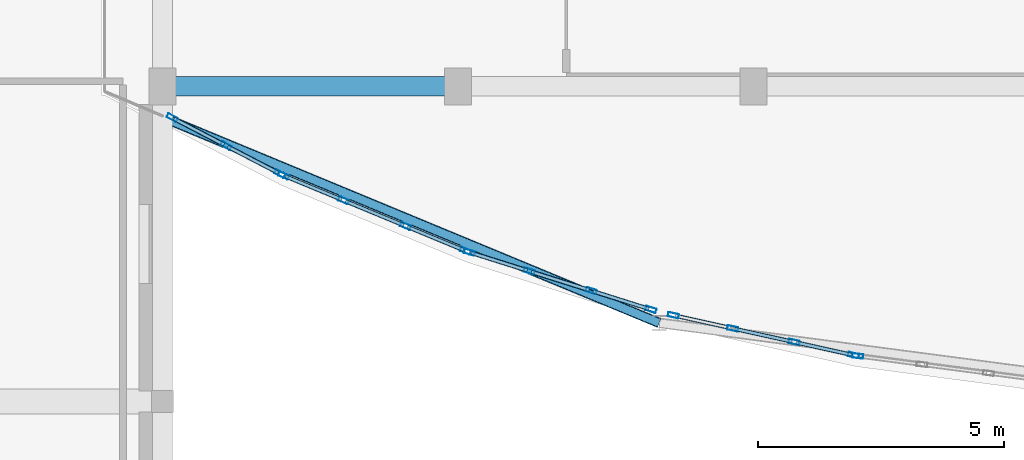
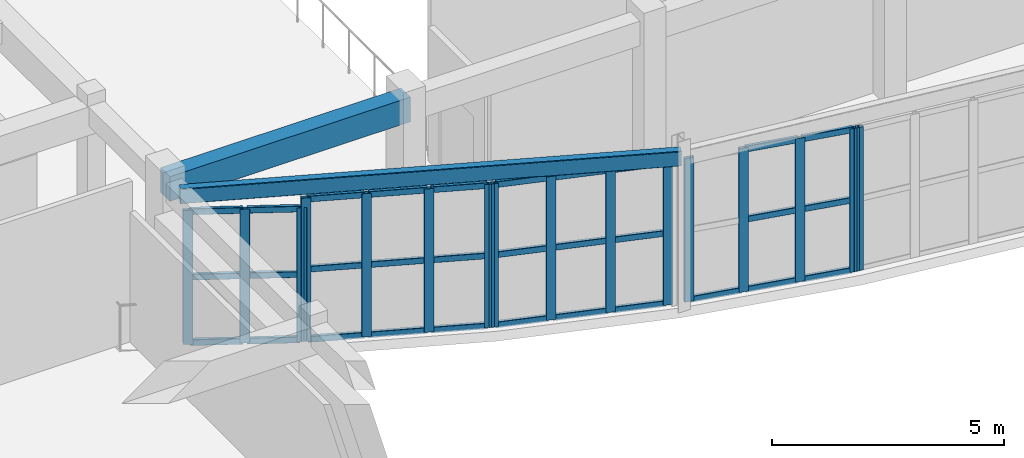
# One storey, part 6 of 92: 47 members, 2 beams, 5 elements without a shape of their own.
"""IFC4 building model written with IfcOpenShell, lengths in metres."""

from ifc_helpers import new_model, si_unit, direction, frame, origin, origin_2d, place, context, subcontext, project, spatial, rectangle, hollow_rectangle, extrude, material, layer, layer_set, material_profile, profile_set, type_object, element, aggregate, save


model = new_model("IFC4")

# Units and contexts
model_context = context("Model", 3, precision=1e-05, world=origin(), true_north=direction((0.0, 1.0)))
body_context = subcontext(model_context, "Body", "Model", "MODEL_VIEW")
ifc_project = project(units=[si_unit("LENGTHUNIT", "METRE"), si_unit("AREAUNIT", "SQUARE_METRE"), si_unit("VOLUMEUNIT", "CUBIC_METRE"), si_unit("PLANEANGLEUNIT", "RADIAN"), si_unit("MASSUNIT", "GRAM", prefix="KILO")], contexts=[model_context])

# Site, building, storey
site_placement = place(None, origin())
site = spatial("IfcSite", under=ifc_project, at=site_placement, CompositionType="ELEMENT")
building_placement = place(site_placement, origin())
building = spatial("IfcBuilding", under=site, at=building_placement, Name="Tarnavel Promenade Courthouse", CompositionType="ELEMENT")
storey_placement = place(building_placement, frame((0.0, 0.0, 5.39990234375)))
storey = spatial("IfcBuildingStorey", under=building, at=storey_placement, Name="L02", CompositionType="ELEMENT", Elevation=5.39990234375)

# Beams
ifc_material_1 = material(Name="Concrete C40/50", Category="concrete")
ifc_material_profile_1 = material_profile(ifc_material_1, rectangle(XDim=0.39990234375, YDim=0.64990234375, at=origin_2d()), Name="RC 400x650")
ifc_profile_set_1 = profile_set([ifc_material_profile_1], Name="Concrete C40/50")
beam_type_1 = type_object("IfcBeamType", Name="Concrete C40/50 BM-RC-400x650 (RC 400x650)", PredefinedType="BEAM", material=ifc_profile_set_1)
beam_1_placement = place(storey_placement, frame((9.60009765625, 14.800048828125, 3.8701171875), z_axis=(1.0, 0.0, 0.0), x_axis=(0.0, 1.0, 0.0)))
element("IfcBeam", 1, at=beam_1_placement, inside=storey, type_object=beam_type_1, Name="L02 Primary Longitudinal Beam 1072", PredefinedType="BEAM", context=body_context, shape_type="SweptSolid", body=[
    extrude(rectangle(XDim=0.39990234375, YDim=0.64990234375, at=origin_2d()), origin(), (0.0, 0.0, 1.0), 6.0),
])
ifc_material_2 = material(Name="Steel S355J2", Category="steel")
ifc_material_profile_2 = material_profile(ifc_material_2, hollow_rectangle(XDim=0.199951171875, YDim=0.39990234375, WallThickness=0.01416015625, InnerFilletRadius=0.013916015625, OuterFilletRadius=0.028076171875, at=origin_2d()), Name="RHS 400x200x14.2")
ifc_profile_set_2 = profile_set([ifc_material_profile_2], Name="Steel S355J2")
beam_type_2 = type_object("IfcBeamType", Name="Steel S355J2 BM-ST-RHS400 (RHS 400x200x14.2)", PredefinedType="SPANDREL", material=ifc_profile_set_2)
beam_2_placement = place(storey_placement, frame((9.60009765625, 14.173095703125, 3.9951171875), z_axis=(0.923872114905, -0.38270133956, 0.0), x_axis=(0.38270133956, 0.923872114905, 0.0)))
element("IfcBeam", 2, at=beam_2_placement, inside=storey, type_object=beam_type_2, Name="L02 Public Drum Ring Beam 1527", PredefinedType="SPANDREL", context=body_context, shape_type="SweptSolid", body=[
    extrude(hollow_rectangle(XDim=0.199951171875, YDim=0.39990234375, WallThickness=0.01416015625, InnerFilletRadius=0.013916015625, OuterFilletRadius=0.028076171875, at=origin_2d()), origin(), (0.0, 0.0, 1.0), 10.91845703125),
])

# Curtain wall, members
ifc_material_3 = material(Name="Thermally Broken Anodised Aluminium Curtain Wall System", Category="aluminium")
ifc_layer = layer(ifc_material_3, 0.219970703125)
ifc_layer_set = layer_set([ifc_layer], Name="Thermally Broken Anodised Aluminium Curtain Wall System")
curtain_wall_type = type_object("IfcCurtainWallType", Name="Thermally Broken Aluminium Triple-Glazed Curtain Wall CW-DRUM", PredefinedType="NOTDEFINED", material=ifc_layer_set)
curtain_wall_1_placement = place(storey_placement, origin())
curtain_wall_1 = element("IfcCurtainWall", 3, at=curtain_wall_1_placement, inside=storey, type_object=curtain_wall_type, Name="L02 Public Hall Drum Curtain Wall 012", PredefinedType="NOTDEFINED")
ifc_material_4 = material(Name="Thermally Broken Anodised Aluminium Frame", Category="aluminium")
ifc_material_profile_3 = material_profile(ifc_material_4, hollow_rectangle(XDim=0.090087890625, YDim=0.219970703125, WallThickness=0.0048828125, InnerFilletRadius=0.0048828125, OuterFilletRadius=0.010009765625, at=origin_2d()), Name="CWM 220x90x5")
ifc_profile_set_3 = profile_set([ifc_material_profile_3], Name="Thermally Broken Anodised Aluminium Frame")
member_type_1 = type_object("IfcMemberType", Name="Thermally Broken Anodised Aluminium CWM-175 (CWM 220x90x5)", PredefinedType="MULLION", material=ifc_profile_set_3)
member_1_placement = place(storey_placement, frame((9.7978515625, 14.162353515625, 0.0), z_axis=(0.0, 0.0, 1.0), x_axis=(0.461749260135, 0.887010496423, 0.0)))
member_1 = element("IfcMember", 4, at=member_1_placement, type_object=member_type_1, Name="CW-01 mullion 1", PredefinedType="MULLION", context=body_context, shape_type="SweptSolid", body=[
    extrude(hollow_rectangle(XDim=0.090087890625, YDim=0.219970703125, WallThickness=0.0048828125, InnerFilletRadius=0.0048828125, OuterFilletRadius=0.010009765625, at=origin_2d()), origin(), (0.0, 0.0, 1.0), 3.530029296875),
])
member_2_placement = place(storey_placement, frame((10.8896484375, 13.593994140625, 0.0), z_axis=(0.0, 0.0, 1.0), x_axis=(0.461749260135, 0.887010496423, 0.0)))
member_2 = element("IfcMember", 5, at=member_2_placement, type_object=member_type_1, Name="CW-01 mullion 2", PredefinedType="MULLION", context=body_context, shape_type="SweptSolid", body=[
    extrude(hollow_rectangle(XDim=0.090087890625, YDim=0.219970703125, WallThickness=0.0048828125, InnerFilletRadius=0.0048828125, OuterFilletRadius=0.010009765625, at=origin_2d()), origin(), (0.0, 0.0, 1.0), 3.530029296875),
])
member_3_placement = place(storey_placement, frame((11.9814453125, 13.025634765625, 0.0), z_axis=(0.0, 0.0, 1.0), x_axis=(0.461749260135, 0.887010496423, 0.0)))
member_3 = element("IfcMember", 6, at=member_3_placement, type_object=member_type_1, Name="CW-01 mullion 3", PredefinedType="MULLION", context=body_context, shape_type="SweptSolid", body=[
    extrude(hollow_rectangle(XDim=0.090087890625, YDim=0.219970703125, WallThickness=0.0048828125, InnerFilletRadius=0.0048828125, OuterFilletRadius=0.010009765625, at=origin_2d()), origin(), (0.0, 0.0, 1.0), 3.530029296875),
])

curtain_wall_2_placement = place(storey_placement, origin())
curtain_wall_2 = element("IfcCurtainWall", 7, at=curtain_wall_2_placement, inside=storey, type_object=curtain_wall_type, Name="L02 Public Hall Drum Curtain Wall 013", PredefinedType="NOTDEFINED")
member_4_placement = place(storey_placement, frame((12.06298828125, 12.987548828125, 0.0), z_axis=(0.0, 0.0, 1.0), x_axis=(0.382684779296, 0.923878974593, 0.0)))
member_4 = element("IfcMember", 8, at=member_4_placement, type_object=member_type_1, Name="CW-01 mullion 1", PredefinedType="MULLION", context=body_context, shape_type="SweptSolid", body=[
    extrude(hollow_rectangle(XDim=0.090087890625, YDim=0.219970703125, WallThickness=0.0048828125, InnerFilletRadius=0.0048828125, OuterFilletRadius=0.010009765625, at=origin_2d()), origin(), (0.0, 0.0, 1.0), 3.780029296875),
])
member_5_placement = place(storey_placement, frame((13.27880859375, 12.48388671875, 0.0), z_axis=(0.0, 0.0, 1.0), x_axis=(0.382684779296, 0.923878974593, 0.0)))
member_5 = element("IfcMember", 9, at=member_5_placement, type_object=member_type_1, Name="CW-01 mullion 2", PredefinedType="MULLION", context=body_context, shape_type="SweptSolid", body=[
    extrude(hollow_rectangle(XDim=0.090087890625, YDim=0.219970703125, WallThickness=0.0048828125, InnerFilletRadius=0.0048828125, OuterFilletRadius=0.010009765625, at=origin_2d()), origin(), (0.0, 0.0, 1.0), 3.780029296875),
])
member_6_placement = place(storey_placement, frame((14.5361328125, 11.963134765625, 0.0), z_axis=(0.0, 0.0, 1.0), x_axis=(0.382684779296, 0.923878974593, 0.0)))
member_6 = element("IfcMember", 10, at=member_6_placement, type_object=member_type_1, Name="CW-01 mullion 3", PredefinedType="MULLION", context=body_context, shape_type="SweptSolid", body=[
    extrude(hollow_rectangle(XDim=0.090087890625, YDim=0.219970703125, WallThickness=0.0048828125, InnerFilletRadius=0.0048828125, OuterFilletRadius=0.010009765625, at=origin_2d()), origin(), (0.0, 0.0, 1.0), 3.780029296875),
])
member_7_placement = place(storey_placement, frame((15.751953125, 11.459716796875, 0.0), z_axis=(0.0, 0.0, 1.0), x_axis=(0.382684779296, 0.923878974593, 0.0)))
member_7 = element("IfcMember", 11, at=member_7_placement, type_object=member_type_1, Name="CW-01 mullion 4", PredefinedType="MULLION", context=body_context, shape_type="SweptSolid", body=[
    extrude(hollow_rectangle(XDim=0.090087890625, YDim=0.219970703125, WallThickness=0.0048828125, InnerFilletRadius=0.0048828125, OuterFilletRadius=0.010009765625, at=origin_2d()), origin(), (0.0, 0.0, 1.0), 3.780029296875),
])

curtain_wall_3_placement = place(storey_placement, origin())
curtain_wall_3 = element("IfcCurtainWall", 12, at=curtain_wall_3_placement, inside=storey, type_object=curtain_wall_type, Name="L02 Public Hall Drum Curtain Wall 014", PredefinedType="NOTDEFINED")
member_8_placement = place(storey_placement, frame((15.83642578125, 11.428955078125, 0.0), z_axis=(0.0, 0.0, 1.0), x_axis=(0.300705340521, 0.953717095465, 0.0)))
member_8 = element("IfcMember", 13, at=member_8_placement, type_object=member_type_1, Name="CW-01 mullion 1", PredefinedType="MULLION", context=body_context, shape_type="SweptSolid", body=[
    extrude(hollow_rectangle(XDim=0.090087890625, YDim=0.219970703125, WallThickness=0.0048828125, InnerFilletRadius=0.0048828125, OuterFilletRadius=0.010009765625, at=origin_2d()), origin(), (0.0, 0.0, 1.0), 3.780029296875),
])
member_9_placement = place(storey_placement, frame((17.048828125, 11.046630859375, 0.0), z_axis=(0.0, 0.0, 1.0), x_axis=(0.300705340521, 0.953717095465, 0.0)))
member_9 = element("IfcMember", 14, at=member_9_placement, type_object=member_type_1, Name="CW-01 mullion 2", PredefinedType="MULLION", context=body_context, shape_type="SweptSolid", body=[
    extrude(hollow_rectangle(XDim=0.090087890625, YDim=0.219970703125, WallThickness=0.0048828125, InnerFilletRadius=0.0048828125, OuterFilletRadius=0.010009765625, at=origin_2d()), origin(), (0.0, 0.0, 1.0), 3.780029296875),
])
member_10_placement = place(storey_placement, frame((18.30419921875, 10.650634765625, 0.0), z_axis=(0.0, 0.0, 1.0), x_axis=(0.300705340521, 0.953717095465, 0.0)))
member_10 = element("IfcMember", 15, at=member_10_placement, type_object=member_type_1, Name="CW-01 mullion 3", PredefinedType="MULLION", context=body_context, shape_type="SweptSolid", body=[
    extrude(hollow_rectangle(XDim=0.090087890625, YDim=0.219970703125, WallThickness=0.0048828125, InnerFilletRadius=0.0048828125, OuterFilletRadius=0.010009765625, at=origin_2d()), origin(), (0.0, 0.0, 1.0), 3.780029296875),
])
member_11_placement = place(storey_placement, frame((19.5166015625, 10.2685546875, 0.0), z_axis=(0.0, 0.0, 1.0), x_axis=(0.300705340521, 0.953717095465, 0.0)))
member_11 = element("IfcMember", 16, at=member_11_placement, type_object=member_type_1, Name="CW-01 mullion 4", PredefinedType="MULLION", context=body_context, shape_type="SweptSolid", body=[
    extrude(hollow_rectangle(XDim=0.090087890625, YDim=0.219970703125, WallThickness=0.0048828125, InnerFilletRadius=0.0048828125, OuterFilletRadius=0.010009765625, at=origin_2d()), origin(), (0.0, 0.0, 1.0), 3.780029296875),
])

curtain_wall_4_placement = place(storey_placement, origin())
curtain_wall_4 = element("IfcCurtainWall", 17, at=curtain_wall_4_placement, inside=storey, type_object=curtain_wall_type, Name="L02 Public Hall Drum Curtain Wall 015", PredefinedType="NOTDEFINED")
member_12_placement = place(storey_placement, frame((19.972900390625, 10.1513671875, 0.0), z_axis=(0.0, 0.0, 1.0), x_axis=(0.216438170788, 0.976296327058, 0.0)))
member_12 = element("IfcMember", 18, at=member_12_placement, type_object=member_type_1, Name="CW-01 mullion 1", PredefinedType="MULLION", context=body_context, shape_type="SweptSolid", body=[
    extrude(hollow_rectangle(XDim=0.090087890625, YDim=0.219970703125, WallThickness=0.0048828125, InnerFilletRadius=0.0048828125, OuterFilletRadius=0.010009765625, at=origin_2d()), origin(), (0.0, 0.0, 1.0), 3.780029296875),
])
member_13_placement = place(storey_placement, frame((21.177001953125, 9.88427734375, 0.0), z_axis=(0.0, 0.0, 1.0), x_axis=(0.216438170788, 0.976296327058, 0.0)))
member_13 = element("IfcMember", 19, at=member_13_placement, type_object=member_type_1, Name="CW-01 mullion 2", PredefinedType="MULLION", context=body_context, shape_type="SweptSolid", body=[
    extrude(hollow_rectangle(XDim=0.090087890625, YDim=0.219970703125, WallThickness=0.0048828125, InnerFilletRadius=0.0048828125, OuterFilletRadius=0.010009765625, at=origin_2d()), origin(), (0.0, 0.0, 1.0), 3.780029296875),
])
member_14_placement = place(storey_placement, frame((22.42529296875, 9.607666015625, 0.0), z_axis=(0.0, 0.0, 1.0), x_axis=(0.216438170788, 0.976296327058, 0.0)))
member_14 = element("IfcMember", 20, at=member_14_placement, type_object=member_type_1, Name="CW-01 mullion 3", PredefinedType="MULLION", context=body_context, shape_type="SweptSolid", body=[
    extrude(hollow_rectangle(XDim=0.090087890625, YDim=0.219970703125, WallThickness=0.0048828125, InnerFilletRadius=0.0048828125, OuterFilletRadius=0.010009765625, at=origin_2d()), origin(), (0.0, 0.0, 1.0), 3.780029296875),
])
member_15_placement = place(storey_placement, frame((23.62939453125, 9.3408203125, 0.0), z_axis=(0.0, 0.0, 1.0), x_axis=(0.216438170788, 0.976296327058, 0.0)))
member_15 = element("IfcMember", 21, at=member_15_placement, type_object=member_type_1, Name="CW-01 mullion 4", PredefinedType="MULLION", context=body_context, shape_type="SweptSolid", body=[
    extrude(hollow_rectangle(XDim=0.090087890625, YDim=0.219970703125, WallThickness=0.0048828125, InnerFilletRadius=0.0048828125, OuterFilletRadius=0.010009765625, at=origin_2d()), origin(), (0.0, 0.0, 1.0), 3.780029296875),
])

# Curtain wall, member
curtain_wall_5_placement = place(storey_placement, origin())
curtain_wall_5 = element("IfcCurtainWall", 22, at=curtain_wall_5_placement, inside=storey, type_object=curtain_wall_type, Name="L02 Public Hall Drum Curtain Wall 016", PredefinedType="NOTDEFINED")
member_16_placement = place(storey_placement, frame((23.7177734375, 9.3251953125, 0.0), z_axis=(0.0, 0.0, 1.0), x_axis=(0.130526614558, 0.991444805772, 0.0)))
member_16 = element("IfcMember", 23, at=member_16_placement, type_object=member_type_1, Name="CW-01 mullion 1", PredefinedType="MULLION", context=body_context, shape_type="SweptSolid", body=[
    extrude(hollow_rectangle(XDim=0.090087890625, YDim=0.219970703125, WallThickness=0.0048828125, InnerFilletRadius=0.0048828125, OuterFilletRadius=0.010009765625, at=origin_2d()), origin(), (0.0, 0.0, 1.0), 3.780029296875),
])
aggregate(curtain_wall_5, [member_16])

# Member
ifc_material_profile_4 = material_profile(ifc_material_4, hollow_rectangle(XDim=0.080078125, YDim=0.159912109375, WallThickness=0.0048828125, InnerFilletRadius=0.0048828125, OuterFilletRadius=0.010009765625, at=origin_2d()), Name="CWT 160x80x5")
ifc_profile_set_4 = profile_set([ifc_material_profile_4], Name="Thermally Broken Anodised Aluminium Frame")
member_type_2 = type_object("IfcMemberType", Name="Thermally Broken Anodised Aluminium CWT-145 (CWT 160x80x5)", PredefinedType="USERDEFINED", material=ifc_profile_set_4)
member_17_placement = place(storey_placement, frame((9.837890625, 14.1416015625, 0.0400390625), z_axis=(0.886988958088, -0.461790632462, 0.0), x_axis=(0.461790632462, 0.886988958088, 0.0)))
member_17 = element("IfcMember", 24, at=member_17_placement, type_object=member_type_2, Name="CW-01 transom 1.1", ObjectType="TRANSOM", PredefinedType="USERDEFINED", context=body_context, shape_type="SweptSolid", body=[
    extrude(hollow_rectangle(XDim=0.080078125, YDim=0.159912109375, WallThickness=0.0048828125, InnerFilletRadius=0.0048828125, OuterFilletRadius=0.010009765625, at=origin_2d()), origin(), (0.0, 0.0, 1.0), 1.140869140625),
])

member_18_placement = place(storey_placement, frame((9.837890625, 14.1416015625, 1.76513671875), z_axis=(0.886988958088, -0.461790632462, 0.0), x_axis=(0.461790632462, 0.886988958088, 0.0)))
member_18 = element("IfcMember", 25, at=member_18_placement, type_object=member_type_2, Name="CW-01 transom 1.2", ObjectType="TRANSOM", PredefinedType="USERDEFINED", context=body_context, shape_type="SweptSolid", body=[
    extrude(hollow_rectangle(XDim=0.080078125, YDim=0.159912109375, WallThickness=0.0048828125, InnerFilletRadius=0.0048828125, OuterFilletRadius=0.010009765625, at=origin_2d()), origin(), (0.0, 0.0, 1.0), 1.140869140625),
])

member_19_placement = place(storey_placement, frame((9.837890625, 14.1416015625, 3.489990234375), z_axis=(0.886988958088, -0.461790632462, 0.0), x_axis=(0.461790632462, 0.886988958088, 0.0)))
member_19 = element("IfcMember", 26, at=member_19_placement, type_object=member_type_2, Name="CW-01 transom 1.3", ObjectType="TRANSOM", PredefinedType="USERDEFINED", context=body_context, shape_type="SweptSolid", body=[
    extrude(hollow_rectangle(XDim=0.080078125, YDim=0.159912109375, WallThickness=0.0048828125, InnerFilletRadius=0.0048828125, OuterFilletRadius=0.010009765625, at=origin_2d()), origin(), (0.0, 0.0, 1.0), 1.140869140625),
])

member_20_placement = place(storey_placement, frame((10.9296875, 13.5732421875, 0.0400390625), z_axis=(0.886988958088, -0.461790632462, 0.0), x_axis=(0.461790632462, 0.886988958088, 0.0)))
member_20 = element("IfcMember", 27, at=member_20_placement, type_object=member_type_2, Name="CW-01 transom 2.1", ObjectType="TRANSOM", PredefinedType="USERDEFINED", context=body_context, shape_type="SweptSolid", body=[
    extrude(hollow_rectangle(XDim=0.080078125, YDim=0.159912109375, WallThickness=0.0048828125, InnerFilletRadius=0.0048828125, OuterFilletRadius=0.010009765625, at=origin_2d()), origin(), (0.0, 0.0, 1.0), 1.140869140625),
])

member_21_placement = place(storey_placement, frame((10.9296875, 13.5732421875, 1.76513671875), z_axis=(0.886988958088, -0.461790632462, 0.0), x_axis=(0.461790632462, 0.886988958088, 0.0)))
member_21 = element("IfcMember", 28, at=member_21_placement, type_object=member_type_2, Name="CW-01 transom 2.2", ObjectType="TRANSOM", PredefinedType="USERDEFINED", context=body_context, shape_type="SweptSolid", body=[
    extrude(hollow_rectangle(XDim=0.080078125, YDim=0.159912109375, WallThickness=0.0048828125, InnerFilletRadius=0.0048828125, OuterFilletRadius=0.010009765625, at=origin_2d()), origin(), (0.0, 0.0, 1.0), 1.140869140625),
])

member_22_placement = place(storey_placement, frame((10.9296875, 13.5732421875, 3.489990234375), z_axis=(0.886988958088, -0.461790632462, 0.0), x_axis=(0.461790632462, 0.886988958088, 0.0)))
member_22 = element("IfcMember", 29, at=member_22_placement, type_object=member_type_2, Name="CW-01 transom 2.3", ObjectType="TRANSOM", PredefinedType="USERDEFINED", context=body_context, shape_type="SweptSolid", body=[
    extrude(hollow_rectangle(XDim=0.080078125, YDim=0.159912109375, WallThickness=0.0048828125, InnerFilletRadius=0.0048828125, OuterFilletRadius=0.010009765625, at=origin_2d()), origin(), (0.0, 0.0, 1.0), 1.140869140625),
])

aggregate(curtain_wall_1, [member_1, member_2, member_3, member_17, member_18, member_19, member_20, member_21, member_22])

member_23_placement = place(storey_placement, frame((12.1044921875, 12.970458984375, 0.0400390625), z_axis=(0.923876078078, -0.382691771997, 0.0), x_axis=(0.382691771997, 0.923876078078, 0.0)))
member_23 = element("IfcMember", 30, at=member_23_placement, type_object=member_type_2, Name="CW-01 transom 1.1", ObjectType="TRANSOM", PredefinedType="USERDEFINED", context=body_context, shape_type="SweptSolid", body=[
    extrude(hollow_rectangle(XDim=0.080078125, YDim=0.159912109375, WallThickness=0.0048828125, InnerFilletRadius=0.0048828125, OuterFilletRadius=0.010009765625, at=origin_2d()), origin(), (0.0, 0.0, 1.0), 1.22607421875),
])

member_24_placement = place(storey_placement, frame((12.1044921875, 12.970458984375, 1.89013671875), z_axis=(0.923876078078, -0.382691771997, 0.0), x_axis=(0.382691771997, 0.923876078078, 0.0)))
member_24 = element("IfcMember", 31, at=member_24_placement, type_object=member_type_2, Name="CW-01 transom 1.2", ObjectType="TRANSOM", PredefinedType="USERDEFINED", context=body_context, shape_type="SweptSolid", body=[
    extrude(hollow_rectangle(XDim=0.080078125, YDim=0.159912109375, WallThickness=0.0048828125, InnerFilletRadius=0.0048828125, OuterFilletRadius=0.010009765625, at=origin_2d()), origin(), (0.0, 0.0, 1.0), 1.22607421875),
])

member_25_placement = place(storey_placement, frame((12.1044921875, 12.970458984375, 3.739990234375), z_axis=(0.923876078078, -0.382691771997, 0.0), x_axis=(0.382691771997, 0.923876078078, 0.0)))
member_25 = element("IfcMember", 32, at=member_25_placement, type_object=member_type_2, Name="CW-01 transom 1.3", ObjectType="TRANSOM", PredefinedType="USERDEFINED", context=body_context, shape_type="SweptSolid", body=[
    extrude(hollow_rectangle(XDim=0.080078125, YDim=0.159912109375, WallThickness=0.0048828125, InnerFilletRadius=0.0048828125, OuterFilletRadius=0.010009765625, at=origin_2d()), origin(), (0.0, 0.0, 1.0), 1.22607421875),
])

member_26_placement = place(storey_placement, frame((13.3203125, 12.466796875, 0.0400390625), z_axis=(0.923904469667, -0.382623223197, 0.0), x_axis=(0.382623223197, 0.923904469667, 0.0)))
member_26 = element("IfcMember", 33, at=member_26_placement, type_object=member_type_2, Name="CW-01 transom 2.1", ObjectType="TRANSOM", PredefinedType="USERDEFINED", context=body_context, shape_type="SweptSolid", body=[
    extrude(hollow_rectangle(XDim=0.080078125, YDim=0.159912109375, WallThickness=0.0048828125, InnerFilletRadius=0.0048828125, OuterFilletRadius=0.010009765625, at=origin_2d()), origin(), (0.0, 0.0, 1.0), 1.27099609375),
])

member_27_placement = place(storey_placement, frame((13.3203125, 12.466796875, 1.89013671875), z_axis=(0.923904469667, -0.382623223197, 0.0), x_axis=(0.382623223197, 0.923904469667, 0.0)))
member_27 = element("IfcMember", 34, at=member_27_placement, type_object=member_type_2, Name="CW-01 transom 2.2", ObjectType="TRANSOM", PredefinedType="USERDEFINED", context=body_context, shape_type="SweptSolid", body=[
    extrude(hollow_rectangle(XDim=0.080078125, YDim=0.159912109375, WallThickness=0.0048828125, InnerFilletRadius=0.0048828125, OuterFilletRadius=0.010009765625, at=origin_2d()), origin(), (0.0, 0.0, 1.0), 1.27099609375),
])

member_28_placement = place(storey_placement, frame((13.3203125, 12.466796875, 3.739990234375), z_axis=(0.923904469667, -0.382623223197, 0.0), x_axis=(0.382623223197, 0.923904469667, 0.0)))
member_28 = element("IfcMember", 35, at=member_28_placement, type_object=member_type_2, Name="CW-01 transom 2.3", ObjectType="TRANSOM", PredefinedType="USERDEFINED", context=body_context, shape_type="SweptSolid", body=[
    extrude(hollow_rectangle(XDim=0.080078125, YDim=0.159912109375, WallThickness=0.0048828125, InnerFilletRadius=0.0048828125, OuterFilletRadius=0.010009765625, at=origin_2d()), origin(), (0.0, 0.0, 1.0), 1.27099609375),
])

member_29_placement = place(storey_placement, frame((14.57763671875, 11.946044921875, 0.0400390625), z_axis=(0.923846909596, -0.382762181557, 0.0), x_axis=(0.382762181557, 0.923846909596, 0.0)))
member_29 = element("IfcMember", 36, at=member_29_placement, type_object=member_type_2, Name="CW-01 transom 3.1", ObjectType="TRANSOM", PredefinedType="USERDEFINED", context=body_context, shape_type="SweptSolid", body=[
    extrude(hollow_rectangle(XDim=0.080078125, YDim=0.159912109375, WallThickness=0.0048828125, InnerFilletRadius=0.0048828125, OuterFilletRadius=0.010009765625, at=origin_2d()), origin(), (0.0, 0.0, 1.0), 1.225830078125),
])

member_30_placement = place(storey_placement, frame((14.57763671875, 11.946044921875, 1.89013671875), z_axis=(0.923846909596, -0.382762181557, 0.0), x_axis=(0.382762181557, 0.923846909596, 0.0)))
member_30 = element("IfcMember", 37, at=member_30_placement, type_object=member_type_2, Name="CW-01 transom 3.2", ObjectType="TRANSOM", PredefinedType="USERDEFINED", context=body_context, shape_type="SweptSolid", body=[
    extrude(hollow_rectangle(XDim=0.080078125, YDim=0.159912109375, WallThickness=0.0048828125, InnerFilletRadius=0.0048828125, OuterFilletRadius=0.010009765625, at=origin_2d()), origin(), (0.0, 0.0, 1.0), 1.225830078125),
])

member_31_placement = place(storey_placement, frame((14.57763671875, 11.946044921875, 3.739990234375), z_axis=(0.923846909596, -0.382762181557, 0.0), x_axis=(0.382762181557, 0.923846909596, 0.0)))
member_31 = element("IfcMember", 38, at=member_31_placement, type_object=member_type_2, Name="CW-01 transom 3.3", ObjectType="TRANSOM", PredefinedType="USERDEFINED", context=body_context, shape_type="SweptSolid", body=[
    extrude(hollow_rectangle(XDim=0.080078125, YDim=0.159912109375, WallThickness=0.0048828125, InnerFilletRadius=0.0048828125, OuterFilletRadius=0.010009765625, at=origin_2d()), origin(), (0.0, 0.0, 1.0), 1.225830078125),
])

aggregate(curtain_wall_2, [member_4, member_5, member_6, member_7, member_23, member_24, member_25, member_26, member_27, member_28, member_29, member_30, member_31])

member_32_placement = place(storey_placement, frame((15.87939453125, 11.415283203125, 0.0400390625), z_axis=(0.953704419141, -0.300745541797, 0.0), x_axis=(0.300745541797, 0.953704419141, 0.0)))
member_32 = element("IfcMember", 39, at=member_32_placement, type_object=member_type_2, Name="CW-01 transom 1.1", ObjectType="TRANSOM", PredefinedType="USERDEFINED", context=body_context, shape_type="SweptSolid", body=[
    extrude(hollow_rectangle(XDim=0.080078125, YDim=0.159912109375, WallThickness=0.0048828125, InnerFilletRadius=0.0048828125, OuterFilletRadius=0.010009765625, at=origin_2d()), origin(), (0.0, 0.0, 1.0), 1.18115234375),
])

member_33_placement = place(storey_placement, frame((15.87939453125, 11.415283203125, 1.89013671875), z_axis=(0.953704419141, -0.300745541797, 0.0), x_axis=(0.300745541797, 0.953704419141, 0.0)))
member_33 = element("IfcMember", 40, at=member_33_placement, type_object=member_type_2, Name="CW-01 transom 1.2", ObjectType="TRANSOM", PredefinedType="USERDEFINED", context=body_context, shape_type="SweptSolid", body=[
    extrude(hollow_rectangle(XDim=0.080078125, YDim=0.159912109375, WallThickness=0.0048828125, InnerFilletRadius=0.0048828125, OuterFilletRadius=0.010009765625, at=origin_2d()), origin(), (0.0, 0.0, 1.0), 1.18115234375),
])

member_34_placement = place(storey_placement, frame((15.87939453125, 11.415283203125, 3.739990234375), z_axis=(0.953704419141, -0.300745541797, 0.0), x_axis=(0.300745541797, 0.953704419141, 0.0)))
member_34 = element("IfcMember", 41, at=member_34_placement, type_object=member_type_2, Name="CW-01 transom 1.3", ObjectType="TRANSOM", PredefinedType="USERDEFINED", context=body_context, shape_type="SweptSolid", body=[
    extrude(hollow_rectangle(XDim=0.080078125, YDim=0.159912109375, WallThickness=0.0048828125, InnerFilletRadius=0.0048828125, OuterFilletRadius=0.010009765625, at=origin_2d()), origin(), (0.0, 0.0, 1.0), 1.18115234375),
])

member_35_placement = place(storey_placement, frame((17.091796875, 11.032958984375, 0.0400390625), z_axis=(0.953733006446, -0.300654872596, 0.0), x_axis=(0.300654872596, 0.953733006446, 0.0)))
member_35 = element("IfcMember", 42, at=member_35_placement, type_object=member_type_2, Name="CW-01 transom 2.1", ObjectType="TRANSOM", PredefinedType="USERDEFINED", context=body_context, shape_type="SweptSolid", body=[
    extrude(hollow_rectangle(XDim=0.080078125, YDim=0.159912109375, WallThickness=0.0048828125, InnerFilletRadius=0.0048828125, OuterFilletRadius=0.010009765625, at=origin_2d()), origin(), (0.0, 0.0, 1.0), 1.22607421875),
])

member_36_placement = place(storey_placement, frame((17.091796875, 11.032958984375, 1.89013671875), z_axis=(0.953733006446, -0.300654872596, 0.0), x_axis=(0.300654872596, 0.953733006446, 0.0)))
member_36 = element("IfcMember", 43, at=member_36_placement, type_object=member_type_2, Name="CW-01 transom 2.2", ObjectType="TRANSOM", PredefinedType="USERDEFINED", context=body_context, shape_type="SweptSolid", body=[
    extrude(hollow_rectangle(XDim=0.080078125, YDim=0.159912109375, WallThickness=0.0048828125, InnerFilletRadius=0.0048828125, OuterFilletRadius=0.010009765625, at=origin_2d()), origin(), (0.0, 0.0, 1.0), 1.22607421875),
])

member_37_placement = place(storey_placement, frame((17.091796875, 11.032958984375, 3.739990234375), z_axis=(0.953733006446, -0.300654872596, 0.0), x_axis=(0.300654872596, 0.953733006446, 0.0)))
member_37 = element("IfcMember", 44, at=member_37_placement, type_object=member_type_2, Name="CW-01 transom 2.3", ObjectType="TRANSOM", PredefinedType="USERDEFINED", context=body_context, shape_type="SweptSolid", body=[
    extrude(hollow_rectangle(XDim=0.080078125, YDim=0.159912109375, WallThickness=0.0048828125, InnerFilletRadius=0.0048828125, OuterFilletRadius=0.010009765625, at=origin_2d()), origin(), (0.0, 0.0, 1.0), 1.22607421875),
])

member_38_placement = place(storey_placement, frame((18.34716796875, 10.63720703125, 0.0400390625), z_axis=(0.953723109008, -0.300686267304, 0.0), x_axis=(0.300686267304, 0.953723109008, 0.0)))
member_38 = element("IfcMember", 45, at=member_38_placement, type_object=member_type_2, Name="CW-01 transom 3.1", ObjectType="TRANSOM", PredefinedType="USERDEFINED", context=body_context, shape_type="SweptSolid", body=[
    extrude(hollow_rectangle(XDim=0.080078125, YDim=0.159912109375, WallThickness=0.0048828125, InnerFilletRadius=0.0048828125, OuterFilletRadius=0.010009765625, at=origin_2d()), origin(), (0.0, 0.0, 1.0), 1.181396484375),
])

member_39_placement = place(storey_placement, frame((18.34716796875, 10.63720703125, 1.89013671875), z_axis=(0.953723109008, -0.300686267304, 0.0), x_axis=(0.300686267304, 0.953723109008, 0.0)))
member_39 = element("IfcMember", 46, at=member_39_placement, type_object=member_type_2, Name="CW-01 transom 3.2", ObjectType="TRANSOM", PredefinedType="USERDEFINED", context=body_context, shape_type="SweptSolid", body=[
    extrude(hollow_rectangle(XDim=0.080078125, YDim=0.159912109375, WallThickness=0.0048828125, InnerFilletRadius=0.0048828125, OuterFilletRadius=0.010009765625, at=origin_2d()), origin(), (0.0, 0.0, 1.0), 1.181396484375),
])

member_40_placement = place(storey_placement, frame((18.34716796875, 10.63720703125, 3.739990234375), z_axis=(0.953723109008, -0.300686267304, 0.0), x_axis=(0.300686267304, 0.953723109008, 0.0)))
member_40 = element("IfcMember", 47, at=member_40_placement, type_object=member_type_2, Name="CW-01 transom 3.3", ObjectType="TRANSOM", PredefinedType="USERDEFINED", context=body_context, shape_type="SweptSolid", body=[
    extrude(hollow_rectangle(XDim=0.080078125, YDim=0.159912109375, WallThickness=0.0048828125, InnerFilletRadius=0.0048828125, OuterFilletRadius=0.010009765625, at=origin_2d()), origin(), (0.0, 0.0, 1.0), 1.181396484375),
])

aggregate(curtain_wall_3, [member_8, member_9, member_10, member_11, member_32, member_33, member_34, member_35, member_36, member_37, member_38, member_39, member_40])

member_41_placement = place(storey_placement, frame((20.016845703125, 10.1416015625, 0.0400390625), z_axis=(0.976287421137, -0.216478339172, 0.0), x_axis=(0.216478339172, 0.976287421137, 0.0)))
member_41 = element("IfcMember", 48, at=member_41_placement, type_object=member_type_2, Name="CW-01 transom 1.1", ObjectType="TRANSOM", PredefinedType="USERDEFINED", context=body_context, shape_type="SweptSolid", body=[
    extrude(hollow_rectangle(XDim=0.080078125, YDim=0.159912109375, WallThickness=0.0048828125, InnerFilletRadius=0.0048828125, OuterFilletRadius=0.010009765625, at=origin_2d()), origin(), (0.0, 0.0, 1.0), 1.1435546875),
])

member_42_placement = place(storey_placement, frame((21.220947265625, 9.874755859375, 0.0400390625), z_axis=(0.976283623824, -0.216495463815, 0.0), x_axis=(0.216495463815, 0.976283623824, 0.0)))
member_42 = element("IfcMember", 49, at=member_42_placement, type_object=member_type_2, Name="CW-01 transom 2.1", ObjectType="TRANSOM", PredefinedType="USERDEFINED", context=body_context, shape_type="SweptSolid", body=[
    extrude(hollow_rectangle(XDim=0.080078125, YDim=0.159912109375, WallThickness=0.0048828125, InnerFilletRadius=0.0048828125, OuterFilletRadius=0.010009765625, at=origin_2d()), origin(), (0.0, 0.0, 1.0), 1.1884765625),
])

member_43_placement = place(storey_placement, frame((21.220947265625, 9.874755859375, 1.89013671875), z_axis=(0.976283623824, -0.216495463815, 0.0), x_axis=(0.216495463815, 0.976283623824, 0.0)))
member_43 = element("IfcMember", 50, at=member_43_placement, type_object=member_type_2, Name="CW-01 transom 2.2", ObjectType="TRANSOM", PredefinedType="USERDEFINED", context=body_context, shape_type="SweptSolid", body=[
    extrude(hollow_rectangle(XDim=0.080078125, YDim=0.159912109375, WallThickness=0.0048828125, InnerFilletRadius=0.0048828125, OuterFilletRadius=0.010009765625, at=origin_2d()), origin(), (0.0, 0.0, 1.0), 1.1884765625),
])

member_44_placement = place(storey_placement, frame((21.220947265625, 9.874755859375, 3.739990234375), z_axis=(0.976283623824, -0.216495463815, 0.0), x_axis=(0.216495463815, 0.976283623824, 0.0)))
member_44 = element("IfcMember", 51, at=member_44_placement, type_object=member_type_2, Name="CW-01 transom 2.3", ObjectType="TRANSOM", PredefinedType="USERDEFINED", context=body_context, shape_type="SweptSolid", body=[
    extrude(hollow_rectangle(XDim=0.080078125, YDim=0.159912109375, WallThickness=0.0048828125, InnerFilletRadius=0.0048828125, OuterFilletRadius=0.010009765625, at=origin_2d()), origin(), (0.0, 0.0, 1.0), 1.1884765625),
])

member_45_placement = place(storey_placement, frame((22.46923828125, 9.597900390625, 0.0400390625), z_axis=(0.976322532452, -0.216319931184, 0.0), x_axis=(0.216319931184, 0.976322532452, 0.0)))
member_45 = element("IfcMember", 52, at=member_45_placement, type_object=member_type_2, Name="CW-01 transom 3.1", ObjectType="TRANSOM", PredefinedType="USERDEFINED", context=body_context, shape_type="SweptSolid", body=[
    extrude(hollow_rectangle(XDim=0.080078125, YDim=0.159912109375, WallThickness=0.0048828125, InnerFilletRadius=0.0048828125, OuterFilletRadius=0.010009765625, at=origin_2d()), origin(), (0.0, 0.0, 1.0), 1.143310546875),
])

member_46_placement = place(storey_placement, frame((22.46923828125, 9.597900390625, 1.89013671875), z_axis=(0.976322532452, -0.216319931184, 0.0), x_axis=(0.216319931184, 0.976322532452, 0.0)))
member_46 = element("IfcMember", 53, at=member_46_placement, type_object=member_type_2, Name="CW-01 transom 3.2", ObjectType="TRANSOM", PredefinedType="USERDEFINED", context=body_context, shape_type="SweptSolid", body=[
    extrude(hollow_rectangle(XDim=0.080078125, YDim=0.159912109375, WallThickness=0.0048828125, InnerFilletRadius=0.0048828125, OuterFilletRadius=0.010009765625, at=origin_2d()), origin(), (0.0, 0.0, 1.0), 1.143310546875),
])

member_47_placement = place(storey_placement, frame((22.46923828125, 9.597900390625, 3.739990234375), z_axis=(0.976322532452, -0.216319931184, 0.0), x_axis=(0.216319931184, 0.976322532452, 0.0)))
member_47 = element("IfcMember", 54, at=member_47_placement, type_object=member_type_2, Name="CW-01 transom 3.3", ObjectType="TRANSOM", PredefinedType="USERDEFINED", context=body_context, shape_type="SweptSolid", body=[
    extrude(hollow_rectangle(XDim=0.080078125, YDim=0.159912109375, WallThickness=0.0048828125, InnerFilletRadius=0.0048828125, OuterFilletRadius=0.010009765625, at=origin_2d()), origin(), (0.0, 0.0, 1.0), 1.143310546875),
])

aggregate(curtain_wall_4, [member_12, member_13, member_14, member_15, member_41, member_42, member_43, member_44, member_45, member_46, member_47])

save(model, "model.ifc")
